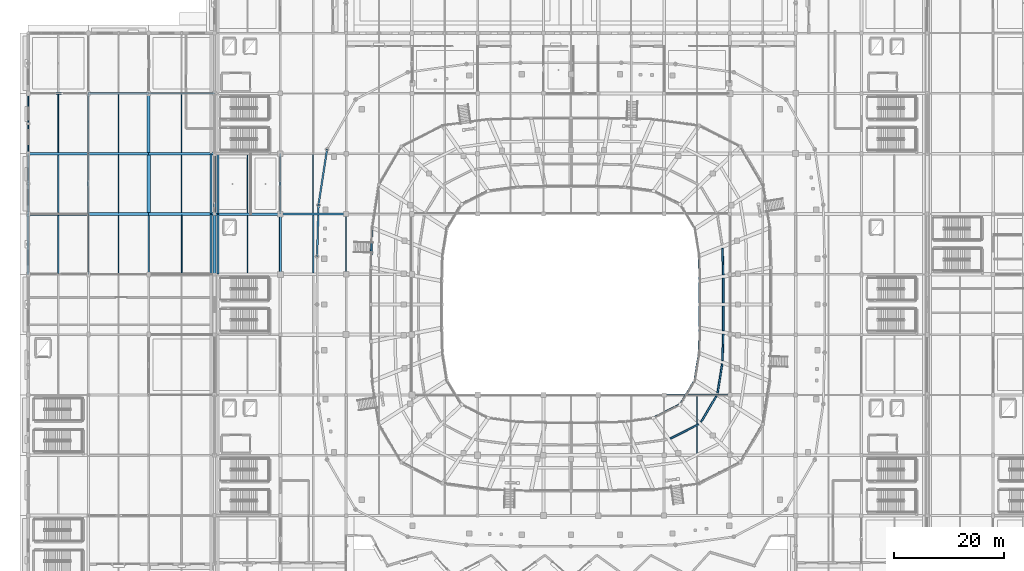
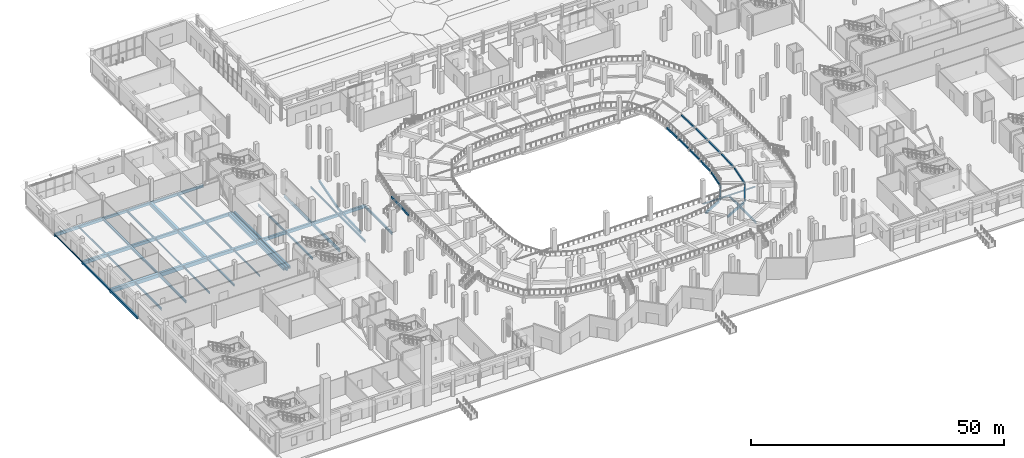
# One storey, part 21 of 120: 61 beams.
"""IFC4 building model written with IfcOpenShell, lengths in metres."""

from ifc_helpers import new_model, si_unit, direction, frame, origin, origin_2d, place, context, subcontext, project, spatial, rectangle, hollow_rectangle, i_section, extrude, material, material_profile, profile_set, type_object, element, save


model = new_model("IFC4")

# Units and contexts
model_context = context("Model", 3, precision=1e-05, world=origin(), true_north=direction((0.0, 1.0)))
body_context = subcontext(model_context, "Body", "Model", "MODEL_VIEW")
ifc_project = project(units=[si_unit("LENGTHUNIT", "METRE"), si_unit("AREAUNIT", "SQUARE_METRE"), si_unit("VOLUMEUNIT", "CUBIC_METRE"), si_unit("PLANEANGLEUNIT", "RADIAN"), si_unit("MASSUNIT", "GRAM", prefix="KILO")], contexts=[model_context])

# Site, building, storey
site_placement = place(None, origin())
site = spatial("IfcSite", under=ifc_project, at=site_placement, CompositionType="ELEMENT")
building_placement = place(site_placement, origin())
building = spatial("IfcBuilding", under=site, at=building_placement, Name="Luwafu Chhajja Arena", CompositionType="ELEMENT")
storey_placement = place(building_placement, origin())
storey = spatial("IfcBuildingStorey", under=building, at=storey_placement, Name="L00", CompositionType="ELEMENT", Elevation=0.0)

# Beams
ifc_material_1 = material(Name="Concrete C35/45", Category="concrete")
ifc_material_profile_1 = material_profile(ifc_material_1, rectangle(XDim=0.35009765625, YDim=0.60009765625, at=origin_2d()), Name="RC 350x600")
ifc_profile_set_1 = profile_set([ifc_material_profile_1], Name="Concrete C35/45")
beam_type_1 = type_object("IfcBeamType", Name="Arcade Tie Beam RC 350x600", PredefinedType="BEAM", material=ifc_profile_set_1)
for number, where, z_axis, x_axis, name in (
    (1, (11.0, 88.0, -0.64990234375), (1.0, 0.0, 0.0), (0.0, 1.0, 0.0), "L00 Grid Beam 2-3/J"),
    (2, (46.0, 55.0, -0.64990234375), (0.0, 1.0, 0.0), (-1.0, 0.0, 0.0), "L00 Grid Beam 5/F-G"),
):
    element("IfcBeam", number, at=place(storey_placement, frame(where, z_axis=z_axis, x_axis=x_axis)), inside=storey, type_object=beam_type_1, Name=name, PredefinedType="BEAM", context=body_context, shape_type="SweptSolid", body=[
        extrude(rectangle(XDim=0.35009765625, YDim=0.60009765625, at=origin_2d()), origin(), (0.0, 0.0, 1.0), 11.0),
    ])
ifc_material_2 = material(Name="Steel S355", Category="steel")
ifc_material_profile_2 = material_profile(ifc_material_2, i_section(OverallWidth=0.165771484375, OverallDepth=0.306640625, WebThickness=0.006591796875, FlangeThickness=0.01171875, at=origin_2d()), Name="UB 305x165x46")
ifc_profile_set_2 = profile_set([ifc_material_profile_2], Name="Steel S355")
beam_type_2 = type_object("IfcBeamType", Name="Concourse Edge Spandrel Beam UB 305x165x46", PredefinedType="SPANDREL", material=ifc_profile_set_2)
beam_1_placement = place(storey_placement, frame((116.0, 33.0, -0.50341796875), z_axis=(1.0, 0.0, 0.0), x_axis=(0.0, 1.0, 0.0)))
element("IfcBeam", 3, at=beam_1_placement, inside=storey, type_object=beam_type_2, Name="L00 Grid Beam 11-12/D", PredefinedType="SPANDREL", context=body_context, shape_type="SweptSolid", body=[
    extrude(i_section(OverallWidth=0.165771484375, OverallDepth=0.306640625, WebThickness=0.006591796875, FlangeThickness=0.01171875, at=origin_2d()), origin(), (0.0, 0.0, 1.0), 12.0),
])
beam_2_placement = place(storey_placement, frame((0.0, 77.0, -0.50341796875), z_axis=(0.0, 1.0, 0.0), x_axis=(-1.0, 0.0, 0.0)))
element("IfcBeam", 4, at=beam_2_placement, inside=storey, type_object=beam_type_2, Name="L00 Grid Beam 1/H-J", PredefinedType="SPANDREL", context=body_context, shape_type="SweptSolid", body=[
    extrude(i_section(OverallWidth=0.165771484375, OverallDepth=0.306640625, WebThickness=0.006591796875, FlangeThickness=0.01171875, at=origin_2d()), origin(), (0.0, 0.0, 1.0), 11.0),
])
ifc_material_profile_3 = material_profile(ifc_material_1, rectangle(XDim=0.60009765625, YDim=0.89990234375, at=origin_2d()), Name="RC 600x900")
ifc_profile_set_3 = profile_set([ifc_material_profile_3], Name="Concrete C35/45")
beam_type_3 = type_object("IfcBeamType", Name="Concourse Primary Girder RC 600x900", PredefinedType="BEAM", material=ifc_profile_set_3)
for number, where, z_axis, x_axis, name in (
    (5, (0.0, 66.0, -0.800048828125), (1.0, 0.0, 0.0), (0.0, 1.0, 0.0), "L00 Grid Beam 1-2/G"),
    (6, (22.0, 66.0, -0.800048828125), (0.0, 1.0, 0.0), (-1.0, 0.0, 0.0), "L00 Grid Beam 3/G-H"),
):
    element("IfcBeam", number, at=place(storey_placement, frame(where, z_axis=z_axis, x_axis=x_axis)), inside=storey, type_object=beam_type_3, Name=name, PredefinedType="BEAM", context=body_context, shape_type="SweptSolid", body=[
        extrude(rectangle(XDim=0.60009765625, YDim=0.89990234375, at=origin_2d()), origin(), (0.0, 0.0, 1.0), 11.0),
    ])
ifc_material_profile_4 = material_profile(ifc_material_1, rectangle(XDim=0.550048828125, YDim=0.949951171875, at=origin_2d()), Name="RC 550x950")
ifc_profile_set_4 = profile_set([ifc_material_profile_4], Name="Concrete C35/45")
beam_type_4 = type_object("IfcBeamType", Name="Concourse Radial Girder RC 550x950", PredefinedType="BEAM", material=ifc_profile_set_4)
for number, where, z_axis, x_axis, name in (
    (7, (11.0, 66.0, -0.824951171875), (1.0, 0.0, 0.0), (0.0, 1.0, 0.0), "L00 Grid Beam 2-3/G"),
    (8, (22.0, 77.0, -0.824951171875), (0.0, 1.0, 0.0), (-1.0, 0.0, 0.0), "L00 Grid Beam 3/H-J"),
):
    element("IfcBeam", number, at=place(storey_placement, frame(where, z_axis=z_axis, x_axis=x_axis)), inside=storey, type_object=beam_type_4, Name=name, PredefinedType="BEAM", context=body_context, shape_type="SweptSolid", body=[
        extrude(rectangle(XDim=0.550048828125, YDim=0.949951171875, at=origin_2d()), origin(), (0.0, 0.0, 1.0), 11.0),
    ])
ifc_material_profile_5 = material_profile(ifc_material_2, i_section(OverallWidth=0.15283203125, OverallDepth=0.45458984375, WebThickness=0.008056640625, FlangeThickness=0.01318359375, at=origin_2d()), Name="UB 457x152x60")
ifc_profile_set_5 = profile_set([ifc_material_profile_5], Name="Steel S355")
beam_type_5 = type_object("IfcBeamType", Name="Floor Joist UB 457x152x60", PredefinedType="JOIST", material=ifc_profile_set_5)
beam_3_placement = place(storey_placement, frame((5.5, 77.25, -0.577392578125), z_axis=(0.0, 1.0, 0.0), x_axis=(-1.0, 0.0, 0.0)))
element("IfcBeam", 9, at=beam_3_placement, inside=storey, type_object=beam_type_5, Name="L00 Secondary Joist 1-2/H", PredefinedType="JOIST", context=body_context, shape_type="SweptSolid", body=[
    extrude(i_section(OverallWidth=0.15283203125, OverallDepth=0.45458984375, WebThickness=0.008056640625, FlangeThickness=0.01318359375, at=origin_2d()), origin(), (0.0, 0.0, 1.0), 10.550048828125),
])
beam_4_placement = place(storey_placement, frame((16.5, 66.27490234375, -0.577392578125), z_axis=(0.0, 1.0, 0.0), x_axis=(-1.0, 0.0, 0.0)))
element("IfcBeam", 10, at=beam_4_placement, inside=storey, type_object=beam_type_5, Name="L00 Secondary Joist 2-3/G", PredefinedType="JOIST", context=body_context, shape_type="SweptSolid", body=[
    extrude(i_section(OverallWidth=0.15283203125, OverallDepth=0.45458984375, WebThickness=0.008056640625, FlangeThickness=0.01318359375, at=origin_2d()), origin(), (0.0, 0.0, 1.0), 10.5),
])
beam_5_placement = place(storey_placement, frame((28.0, 55.300048828125, -0.577392578125), z_axis=(0.0, 1.0, 0.0), x_axis=(-1.0, 0.0, 0.0)))
element("IfcBeam", 11, at=beam_5_placement, inside=storey, type_object=beam_type_5, Name="L00 Secondary Joist 3-4/F", PredefinedType="JOIST", context=body_context, shape_type="SweptSolid", body=[
    extrude(i_section(OverallWidth=0.15283203125, OverallDepth=0.45458984375, WebThickness=0.008056640625, FlangeThickness=0.01318359375, at=origin_2d()), origin(), (0.0, 0.0, 1.0), 10.449951171875),
])
ifc_material_profile_6 = material_profile(ifc_material_2, i_section(OverallWidth=0.19140625, OverallDepth=0.4599609375, WebThickness=0.010009765625, FlangeThickness=0.01611328125, at=origin_2d()), Name="UB 457x191x82")
ifc_profile_set_6 = profile_set([ifc_material_profile_6], Name="Steel S355")
beam_type_6 = type_object("IfcBeamType", Name="Floor Joist UB 457x191x82", PredefinedType="JOIST", material=ifc_profile_set_6)
beam_6_placement = place(storey_placement, frame((5.5, 66.300048828125, -0.580078125), z_axis=(0.0, 1.0, 0.0), x_axis=(-1.0, 0.0, 0.0)))
element("IfcBeam", 12, at=beam_6_placement, inside=storey, type_object=beam_type_6, Name="L00 Secondary Joist 1-2/G", PredefinedType="JOIST", context=body_context, shape_type="SweptSolid", body=[
    extrude(i_section(OverallWidth=0.19140625, OverallDepth=0.4599609375, WebThickness=0.010009765625, FlangeThickness=0.01611328125, at=origin_2d()), origin(), (0.0, 0.0, 1.0), 10.449951171875),
])
beam_7_placement = place(storey_placement, frame((16.5, 55.14990234375, -0.580078125), z_axis=(0.0, 1.0, 0.0), x_axis=(-1.0, 0.0, 0.0)))
element("IfcBeam", 13, at=beam_7_placement, inside=storey, type_object=beam_type_6, Name="L00 Secondary Joist 2-3/F", PredefinedType="JOIST", context=body_context, shape_type="SweptSolid", body=[
    extrude(i_section(OverallWidth=0.19140625, OverallDepth=0.4599609375, WebThickness=0.010009765625, FlangeThickness=0.01611328125, at=origin_2d()), origin(), (0.0, 0.0, 1.0), 10.5751953125),
])
beam_8_placement = place(storey_placement, frame((52.0, 66.199951171875, -0.580078125), z_axis=(0.0, 1.0, 0.0), x_axis=(-1.0, 0.0, 0.0)))
element("IfcBeam", 14, at=beam_8_placement, inside=storey, type_object=beam_type_6, Name="L00 Secondary Joist 5-6/G", PredefinedType="JOIST", context=body_context, shape_type="SweptSolid", body=[
    extrude(i_section(OverallWidth=0.19140625, OverallDepth=0.4599609375, WebThickness=0.010009765625, FlangeThickness=0.01611328125, at=origin_2d()), origin(), (0.0, 0.0, 1.0), 10.673095703125),
])
ifc_material_profile_7 = material_profile(ifc_material_2, i_section(OverallWidth=0.2099609375, OverallDepth=0.53662109375, WebThickness=0.0107421875, FlangeThickness=0.017333984375, at=origin_2d()), Name="UB 533x210x101")
ifc_profile_set_7 = profile_set([ifc_material_profile_7], Name="Steel S355")
beam_type_7 = type_object("IfcBeamType", Name="Floor Joist UB 533x210x101", PredefinedType="JOIST", material=ifc_profile_set_7)
beam_9_placement = place(storey_placement, frame((16.5, 77.22509765625, -0.618408203125), z_axis=(0.0, 1.0, 0.0), x_axis=(-1.0, 0.0, 0.0)))
element("IfcBeam", 15, at=beam_9_placement, inside=storey, type_object=beam_type_7, Name="L00 Secondary Joist 2-3/H", PredefinedType="JOIST", context=body_context, shape_type="SweptSolid", body=[
    extrude(i_section(OverallWidth=0.2099609375, OverallDepth=0.53662109375, WebThickness=0.0107421875, FlangeThickness=0.017333984375, at=origin_2d()), origin(), (0.0, 0.0, 1.0), 10.599853515625),
])
beam_10_placement = place(storey_placement, frame((28.0, 66.25, -0.618408203125), z_axis=(0.0, 1.0, 0.0), x_axis=(-1.0, 0.0, 0.0)))
element("IfcBeam", 16, at=beam_10_placement, inside=storey, type_object=beam_type_7, Name="L00 Secondary Joist 3-4/G", PredefinedType="JOIST", context=body_context, shape_type="SweptSolid", body=[
    extrude(i_section(OverallWidth=0.2099609375, OverallDepth=0.53662109375, WebThickness=0.0107421875, FlangeThickness=0.017333984375, at=origin_2d()), origin(), (0.0, 0.0, 1.0), 10.550048828125),
])
beam_11_placement = place(storey_placement, frame((40.0, 55.27490234375, -0.618408203125), z_axis=(0.0, 1.0, 0.0), x_axis=(-1.0, 0.0, 0.0)))
element("IfcBeam", 17, at=beam_11_placement, inside=storey, type_object=beam_type_7, Name="L00 Secondary Joist 4-5/F", PredefinedType="JOIST", context=body_context, shape_type="SweptSolid", body=[
    extrude(i_section(OverallWidth=0.2099609375, OverallDepth=0.53662109375, WebThickness=0.0107421875, FlangeThickness=0.017333984375, at=origin_2d()), origin(), (0.0, 0.0, 1.0), 10.5),
])
beam_12_placement = place(storey_placement, frame((122.0, 22.25, -0.618408203125), z_axis=(0.0, 1.0, 0.0), x_axis=(-1.0, 0.0, 0.0)))
element("IfcBeam", 18, at=beam_12_placement, inside=storey, type_object=beam_type_7, Name="L00 Secondary Joist 11-12/C", PredefinedType="JOIST", context=body_context, shape_type="SweptSolid", body=[
    extrude(i_section(OverallWidth=0.2099609375, OverallDepth=0.53662109375, WebThickness=0.0107421875, FlangeThickness=0.017333984375, at=origin_2d()), origin(), (0.0, 0.0, 1.0), 10.6669921875),
])
ifc_material_profile_8 = material_profile(ifc_material_2, i_section(OverallWidth=0.209228515625, OverallDepth=0.533203125, WebThickness=0.010009765625, FlangeThickness=0.015625, at=origin_2d()), Name="UB 533x210x92")
ifc_profile_set_8 = profile_set([ifc_material_profile_8], Name="Steel S355")
beam_type_8 = type_object("IfcBeamType", Name="Floor Joist UB 533x210x92", PredefinedType="JOIST", material=ifc_profile_set_8)
beam_13_placement = place(storey_placement, frame((5.5, 55.14990234375, -0.616455078125), z_axis=(0.0, 1.0, 0.0), x_axis=(-1.0, 0.0, 0.0)))
element("IfcBeam", 19, at=beam_13_placement, inside=storey, type_object=beam_type_8, Name="L00 Secondary Joist 1-2/F", PredefinedType="JOIST", context=body_context, shape_type="SweptSolid", body=[
    extrude(i_section(OverallWidth=0.209228515625, OverallDepth=0.533203125, WebThickness=0.010009765625, FlangeThickness=0.015625, at=origin_2d()), origin(), (0.0, 0.0, 1.0), 10.550048828125),
])
beam_14_placement = place(storey_placement, frame((28.0, 77.199951171875, -0.616455078125), z_axis=(0.0, 1.0, 0.0), x_axis=(-1.0, 0.0, 0.0)))
element("IfcBeam", 20, at=beam_14_placement, inside=storey, type_object=beam_type_8, Name="L00 Secondary Joist 3-4/H", PredefinedType="JOIST", context=body_context, shape_type="SweptSolid", body=[
    extrude(i_section(OverallWidth=0.209228515625, OverallDepth=0.533203125, WebThickness=0.010009765625, FlangeThickness=0.015625, at=origin_2d()), origin(), (0.0, 0.0, 1.0), 10.673095703125),
])
beam_15_placement = place(storey_placement, frame((40.0, 66.22509765625, -0.616455078125), z_axis=(0.0, 1.0, 0.0), x_axis=(-1.0, 0.0, 0.0)))
element("IfcBeam", 21, at=beam_15_placement, inside=storey, type_object=beam_type_8, Name="L00 Secondary Joist 4-5/G", PredefinedType="JOIST", context=body_context, shape_type="SweptSolid", body=[
    extrude(i_section(OverallWidth=0.209228515625, OverallDepth=0.533203125, WebThickness=0.010009765625, FlangeThickness=0.015625, at=origin_2d()), origin(), (0.0, 0.0, 1.0), 10.599853515625),
])
beam_16_placement = place(storey_placement, frame((52.0, 55.25, -0.616455078125), z_axis=(0.0, 1.0, 0.0), x_axis=(-1.0, 0.0, 0.0)))
element("IfcBeam", 22, at=beam_16_placement, inside=storey, type_object=beam_type_8, Name="L00 Secondary Joist 5-6/F", PredefinedType="JOIST", context=body_context, shape_type="SweptSolid", body=[
    extrude(i_section(OverallWidth=0.209228515625, OverallDepth=0.533203125, WebThickness=0.010009765625, FlangeThickness=0.015625, at=origin_2d()), origin(), (0.0, 0.0, 1.0), 10.550048828125),
])
ifc_material_profile_9 = material_profile(ifc_material_1, rectangle(XDim=0.5, YDim=0.800048828125, at=origin_2d()), Name="RC 500x800")
ifc_profile_set_9 = profile_set([ifc_material_profile_9], Name="Concrete C35/45")
beam_type_9 = type_object("IfcBeamType", Name="Hospitality Primary Beam RC 500x800", PredefinedType="BEAM", material=ifc_profile_set_9)
beam_17_placement = place(storey_placement, frame((0.0, 77.0, -0.75), z_axis=(1.0, 0.0, 0.0), x_axis=(0.0, 1.0, 0.0)))
element("IfcBeam", 23, at=beam_17_placement, inside=storey, type_object=beam_type_9, Name="L00 Grid Beam 1-2/H", PredefinedType="BEAM", context=body_context, shape_type="SweptSolid", body=[
    extrude(rectangle(XDim=0.5, YDim=0.800048828125, at=origin_2d()), origin(), (0.0, 0.0, 1.0), 11.0),
])
beam_18_placement = place(storey_placement, frame((22.0, 66.0, -0.75), z_axis=(1.0, 0.0, 0.0), x_axis=(0.0, 1.0, 0.0)))
element("IfcBeam", 24, at=beam_18_placement, inside=storey, type_object=beam_type_9, Name="L00 Grid Beam 3-4/G", PredefinedType="BEAM", context=body_context, shape_type="SweptSolid", body=[
    extrude(rectangle(XDim=0.5, YDim=0.800048828125, at=origin_2d()), origin(), (0.0, 0.0, 1.0), 12.0),
])
beam_19_placement = place(storey_placement, frame((34.0, 55.0, -0.75), z_axis=(0.0, 1.0, 0.0), x_axis=(-1.0, 0.0, 0.0)))
element("IfcBeam", 25, at=beam_19_placement, inside=storey, type_object=beam_type_9, Name="L00 Grid Beam 4/F-G", PredefinedType="BEAM", context=body_context, shape_type="SweptSolid", body=[
    extrude(rectangle(XDim=0.5, YDim=0.800048828125, at=origin_2d()), origin(), (0.0, 0.0, 1.0), 11.0),
])
ifc_material_profile_10 = material_profile(ifc_material_2, hollow_rectangle(XDim=0.300048828125, YDim=0.5, WallThickness=0.02001953125, at=origin_2d()), Name="RHS 500x300x20")
ifc_profile_set_10 = profile_set([ifc_material_profile_10], Name="Steel S355")
beam_type_10 = type_object("IfcBeamType", Name="Pleated Drum Spandrel Beam RHS 500x300", PredefinedType="SPANDREL", material=ifc_profile_set_10)
beam_20_placement = place(storey_placement, frame((0.0, 66.0, -0.60009765625), z_axis=(0.0, 1.0, 0.0), x_axis=(-1.0, 0.0, 0.0)))
element("IfcBeam", 26, at=beam_20_placement, inside=storey, type_object=beam_type_10, Name="L00 Grid Beam 1/G-H", PredefinedType="SPANDREL", context=body_context, shape_type="SweptSolid", body=[
    extrude(hollow_rectangle(XDim=0.300048828125, YDim=0.5, WallThickness=0.02001953125, at=origin_2d()), origin(), (0.0, 0.0, 1.0), 11.0),
])
beam_21_placement = place(storey_placement, frame((54.52392578125, 77.805908203125, -0.60009765625), z_axis=(-0.1515977802, -0.988442265911, 0.0), x_axis=(0.988442265911, -0.1515977802, 0.0)))
element("IfcBeam", 27, at=beam_21_placement, inside=storey, type_object=beam_type_10, Name="L00 Drum Ring Spandrel D14-D15", PredefinedType="SPANDREL", context=body_context, shape_type="SweptSolid", body=[
    extrude(hollow_rectangle(XDim=0.300048828125, YDim=0.5, WallThickness=0.02001953125, at=origin_2d()), origin(), (0.0, 0.0, 1.0), 10.263427734375),
])
beam_22_placement = place(storey_placement, frame((52.968017578125, 67.6611328125, -0.60009765625), z_axis=(-0.02720805866, -0.999629792245, 0.0), x_axis=(0.999629792245, -0.02720805866, 0.0)))
element("IfcBeam", 28, at=beam_22_placement, inside=storey, type_object=beam_type_10, Name="L00 Drum Ring Spandrel D15-D16", PredefinedType="SPANDREL", context=body_context, shape_type="SweptSolid", body=[
    extrude(hollow_rectangle(XDim=0.300048828125, YDim=0.5, WallThickness=0.02001953125, at=origin_2d()), origin(), (0.0, 0.0, 1.0), 9.394775390625),
])
ifc_material_profile_11 = material_profile(ifc_material_1, rectangle(XDim=0.39990234375, YDim=0.60009765625, at=origin_2d()), Name="RC 400x600")
ifc_profile_set_11 = profile_set([ifc_material_profile_11], Name="Concrete C35/45")
beam_type_11 = type_object("IfcBeamType", Name="Podium Perimeter Spandrel RC 400x600", PredefinedType="SPANDREL", material=ifc_profile_set_11)
beam_23_placement = place(storey_placement, frame((0.0, 55.0, -0.64990234375), z_axis=(0.0, 1.0, 0.0), x_axis=(-1.0, 0.0, 0.0)))
element("IfcBeam", 29, at=beam_23_placement, inside=storey, type_object=beam_type_11, Name="L00 Grid Beam 1/F-G", PredefinedType="SPANDREL", context=body_context, shape_type="SweptSolid", body=[
    extrude(rectangle(XDim=0.39990234375, YDim=0.60009765625, at=origin_2d()), origin(), (0.0, 0.0, 1.0), 11.0),
])
for number, where, z_axis, x_axis, name in (
    (30, (33.3798828125, 55.080078125, -0.64990234375), (0.0, 1.0, 0.0), (-1.0, 0.0, 0.0), "L00 Movement Joint MJ1W Seat Girder 05"),
    (31, (33.3798828125, 66.080078125, -0.64990234375), (0.0, 1.0, 0.0), (-1.0, 0.0, 0.0), "L00 Movement Joint MJ1W Seat Girder 06"),
    (32, (34.6201171875, 55.080078125, -0.64990234375), (0.0, 1.0, 0.0), (-1.0, 0.0, 0.0), "L00 Movement Joint MJ1E Seat Girder 05"),
    (33, (34.6201171875, 66.080078125, -0.64990234375), (0.0, 1.0, 0.0), (-1.0, 0.0, 0.0), "L00 Movement Joint MJ1E Seat Girder 06"),
):
    element("IfcBeam", number, at=place(storey_placement, frame(where, z_axis=z_axis, x_axis=x_axis)), inside=storey, type_object=beam_type_11, Name=name, PredefinedType="SPANDREL", context=body_context, shape_type="SweptSolid", body=[
        extrude(rectangle(XDim=0.39990234375, YDim=0.60009765625, at=origin_2d()), origin(), (0.0, 0.0, 1.0), 10.83984375),
    ])
ifc_material_profile_12 = material_profile(ifc_material_2, i_section(OverallWidth=0.300048828125, OverallDepth=0.5, WebThickness=0.014404296875, FlangeThickness=0.028076171875, at=origin_2d()), Name="HEB 500")
ifc_profile_set_12 = profile_set([ifc_material_profile_12], Name="Steel S355")
beam_type_12 = type_object("IfcBeamType", Name="Steel Atrium Tie Girder HEB 500", PredefinedType="BEAM", material=ifc_profile_set_12)
beam_24_placement = place(storey_placement, frame((11.0, 77.0, -0.60009765625), z_axis=(0.0, 1.0, 0.0), x_axis=(-1.0, 0.0, 0.0)))
element("IfcBeam", 34, at=beam_24_placement, inside=storey, type_object=beam_type_12, Name="L00 Grid Beam 2/H-J", PredefinedType="BEAM", context=body_context, shape_type="SweptSolid", body=[
    extrude(i_section(OverallWidth=0.300048828125, OverallDepth=0.5, WebThickness=0.014404296875, FlangeThickness=0.028076171875, at=origin_2d()), origin(), (0.0, 0.0, 1.0), 11.0),
])
ifc_material_profile_13 = material_profile(ifc_material_2, i_section(OverallWidth=0.253662109375, OverallDepth=0.68359375, WebThickness=0.012451171875, FlangeThickness=0.01904296875, at=origin_2d()), Name="UB 686x254x140")
ifc_profile_set_13 = profile_set([ifc_material_profile_13], Name="Steel S355")
beam_type_13 = type_object("IfcBeamType", Name="Steel Concourse Girder UB 686x254x140", PredefinedType="BEAM", material=ifc_profile_set_13)
beam_25_placement = place(storey_placement, frame((22.0, 88.0, -0.691650390625), z_axis=(1.0, 0.0, 0.0), x_axis=(0.0, 1.0, 0.0)))
element("IfcBeam", 35, at=beam_25_placement, inside=storey, type_object=beam_type_13, Name="L00 Grid Beam 3-4/J", PredefinedType="BEAM", context=body_context, shape_type="SweptSolid", body=[
    extrude(i_section(OverallWidth=0.253662109375, OverallDepth=0.68359375, WebThickness=0.012451171875, FlangeThickness=0.01904296875, at=origin_2d()), origin(), (0.0, 0.0, 1.0), 12.0),
])
beam_26_placement = place(storey_placement, frame((46.0, 66.0, -0.691650390625), z_axis=(0.0, 1.0, 0.0), x_axis=(-1.0, 0.0, 0.0)))
element("IfcBeam", 36, at=beam_26_placement, inside=storey, type_object=beam_type_13, Name="L00 Grid Beam 5/G-H", PredefinedType="BEAM", context=body_context, shape_type="SweptSolid", body=[
    extrude(i_section(OverallWidth=0.253662109375, OverallDepth=0.68359375, WebThickness=0.012451171875, FlangeThickness=0.01904296875, at=origin_2d()), origin(), (0.0, 0.0, 1.0), 11.0),
])
ifc_material_profile_14 = material_profile(ifc_material_2, i_section(OverallWidth=0.300048828125, OverallDepth=0.60009765625, WebThickness=0.015380859375, FlangeThickness=0.030029296875, at=origin_2d()), Name="HEB 600")
ifc_profile_set_14 = profile_set([ifc_material_profile_14], Name="Steel S355")
beam_type_14 = type_object("IfcBeamType", Name="Steel Gallery Girder HEB 600", PredefinedType="BEAM", material=ifc_profile_set_14)
beam_27_placement = place(storey_placement, frame((11.0, 66.0, -0.64990234375), z_axis=(0.0, 1.0, 0.0), x_axis=(-1.0, 0.0, 0.0)))
element("IfcBeam", 37, at=beam_27_placement, inside=storey, type_object=beam_type_14, Name="L00 Grid Beam 2/G-H", PredefinedType="BEAM", context=body_context, shape_type="SweptSolid", body=[
    extrude(i_section(OverallWidth=0.300048828125, OverallDepth=0.60009765625, WebThickness=0.015380859375, FlangeThickness=0.030029296875, at=origin_2d()), origin(), (0.0, 0.0, 1.0), 11.0),
])
ifc_material_profile_15 = material_profile(ifc_material_2, i_section(OverallWidth=0.22900390625, OverallDepth=0.6123046875, WebThickness=0.011962890625, FlangeThickness=0.01953125, at=origin_2d()), Name="UB 610x229x125")
ifc_profile_set_15 = profile_set([ifc_material_profile_15], Name="Steel S355")
beam_type_15 = type_object("IfcBeamType", Name="Steel Mezzanine Girder UB 610x229x125", PredefinedType="BEAM", material=ifc_profile_set_15)
for number, where, z_axis, x_axis, name in (
    (38, (11.0, 55.0, -0.656005859375), (0.0, 1.0, 0.0), (-1.0, 0.0, 0.0), "L00 Grid Beam 2/F-G"),
    (39, (58.0, 55.0, -0.656005859375), (0.0, 1.0, 0.0), (-1.0, 0.0, 0.0), "L00 Grid Beam 6/F-G"),
):
    element("IfcBeam", number, at=place(storey_placement, frame(where, z_axis=z_axis, x_axis=x_axis)), inside=storey, type_object=beam_type_15, Name=name, PredefinedType="BEAM", context=body_context, shape_type="SweptSolid", body=[
        extrude(i_section(OverallWidth=0.22900390625, OverallDepth=0.6123046875, WebThickness=0.011962890625, FlangeThickness=0.01953125, at=origin_2d()), origin(), (0.0, 0.0, 1.0), 11.0),
    ])
ifc_material_profile_16 = material_profile(ifc_material_2, i_section(OverallWidth=0.300048828125, OverallDepth=0.39990234375, WebThickness=0.013427734375, FlangeThickness=0.02392578125, at=origin_2d()), Name="HEB 400")
ifc_profile_set_16 = profile_set([ifc_material_profile_16], Name="Steel S355")
beam_type_16 = type_object("IfcBeamType", Name="Steel Rigging Grid Beam HEB 400", PredefinedType="BEAM", material=ifc_profile_set_16)
beam_28_placement = place(storey_placement, frame((22.0, 55.0, -0.550048828125), z_axis=(0.0, 1.0, 0.0), x_axis=(-1.0, 0.0, 0.0)))
element("IfcBeam", 40, at=beam_28_placement, inside=storey, type_object=beam_type_16, Name="L00 Grid Beam 3/F-G", PredefinedType="BEAM", context=body_context, shape_type="SweptSolid", body=[
    extrude(i_section(OverallWidth=0.300048828125, OverallDepth=0.39990234375, WebThickness=0.013427734375, FlangeThickness=0.02392578125, at=origin_2d()), origin(), (0.0, 0.0, 1.0), 11.0),
])
ifc_material_3 = material(Name="Precast concrete C40/50", Category="concrete")
ifc_material_profile_17 = material_profile(ifc_material_3, rectangle(XDim=0.300048828125, YDim=0.5, at=origin_2d()), Name="RC 300x500")
ifc_profile_set_17 = profile_set([ifc_material_profile_17], Name="Precast concrete C40/50")
beam_type_17 = type_object("IfcBeamType", Name="Tier Support Beam RC 300x500", PredefinedType="BEAM", material=ifc_profile_set_17)
beam_29_placement = place(storey_placement, frame((122.49951171875, 49.804931640625, 0.3798828125), z_axis=(-0.001465297481, 0.999998926451, 0.0), x_axis=(-0.999998926451, -0.001465297481, 0.0)))
element("IfcBeam", 41, at=beam_29_placement, inside=storey, type_object=beam_type_17, Name="Lower Tier Ring Beam S01-B1", PredefinedType="BEAM", context=body_context, shape_type="SweptSolid", body=[
    extrude(rectangle(XDim=0.300048828125, YDim=0.5, at=origin_2d()), origin(), (0.0, 0.0, 1.0), 3.66552734375),
])
beam_30_placement = place(storey_placement, frame((126.799560546875, 49.804931640625, 0.8798828125), z_axis=(-0.001471067385, 0.99999891798, 0.0), x_axis=(-0.99999891798, -0.001471067385, 0.0)))
element("IfcBeam", 42, at=beam_30_placement, inside=storey, type_object=beam_type_17, Name="Lower Tier Ring Beam S01-B2", PredefinedType="BEAM", context=body_context, shape_type="SweptSolid", body=[
    extrude(rectangle(XDim=0.300048828125, YDim=0.5, at=origin_2d()), origin(), (0.0, 0.0, 1.0), 4.48095703125),
])
beam_31_placement = place(storey_placement, frame((122.485107421875, 54.080322265625, 0.3798828125), z_axis=(-0.028347363386, 0.999598132746, 0.0), x_axis=(-0.999598132746, -0.028347363386, 0.0)))
element("IfcBeam", 43, at=beam_31_placement, inside=storey, type_object=beam_type_17, Name="Lower Tier Ring Beam S02-B1", PredefinedType="BEAM", context=body_context, shape_type="SweptSolid", body=[
    extrude(rectangle(XDim=0.300048828125, YDim=0.5, at=origin_2d()), origin(), (0.0, 0.0, 1.0), 3.970458984375),
])
beam_32_placement = place(storey_placement, frame((126.783935546875, 54.895751953125, 0.8798828125), z_axis=(-0.028125214785, 0.9996044079, 0.0), x_axis=(-0.9996044079, -0.028125214785, 0.0)))
element("IfcBeam", 44, at=beam_32_placement, inside=storey, type_object=beam_type_17, Name="Lower Tier Ring Beam S02-B2", PredefinedType="BEAM", context=body_context, shape_type="SweptSolid", body=[
    extrude(rectangle(XDim=0.300048828125, YDim=0.5, at=origin_2d()), origin(), (0.0, 0.0, 1.0), 4.84375),
])
beam_33_placement = place(storey_placement, frame((62.711181640625, 63.501708984375, 1.3798828125), z_axis=(-0.027807295899, -0.99961330238, 0.0), x_axis=(0.99961330238, -0.027807295899, 0.0)))
element("IfcBeam", 45, at=beam_33_placement, inside=storey, type_object=beam_type_17, Name="Lower Tier Outer Ring Beam S15", PredefinedType="BEAM", context=body_context, shape_type="SweptSolid", body=[
    extrude(rectangle(XDim=0.300048828125, YDim=0.5, at=origin_2d()), origin(), (0.0, 0.0, 1.0), 7.2431640625),
])
beam_34_placement = place(storey_placement, frame((114.356201171875, 28.9833984375, 0.3798828125), z_axis=(0.89416279035, 0.447742006466, 0.0), x_axis=(-0.447742006466, 0.89416279035, 0.0)))
element("IfcBeam", 46, at=beam_34_placement, inside=storey, type_object=beam_type_17, Name="Lower Tier Ring Beam S28-B1", PredefinedType="BEAM", context=body_context, shape_type="SweptSolid", body=[
    extrude(rectangle(XDim=0.300048828125, YDim=0.5, at=origin_2d()), origin(), (0.0, 0.0, 1.0), 4.804443359375),
])
beam_35_placement = place(storey_placement, frame((117.115966796875, 25.0458984375, 0.8798828125), z_axis=(0.893009121174, 0.450038564459, 0.0), x_axis=(-0.450038564459, 0.893009121174, 0.0)))
element("IfcBeam", 47, at=beam_35_placement, inside=storey, type_object=beam_type_17, Name="Lower Tier Ring Beam S28-B2", PredefinedType="BEAM", context=body_context, shape_type="SweptSolid", body=[
    extrude(rectangle(XDim=0.300048828125, YDim=0.5, at=origin_2d()), origin(), (0.0, 0.0, 1.0), 5.802978515625),
])
beam_36_placement = place(storey_placement, frame((119.081298828125, 31.53271484375, 0.3798828125), z_axis=(0.513319836425, 0.858197381453, 0.0), x_axis=(-0.858197381453, 0.513319836425, 0.0)))
element("IfcBeam", 48, at=beam_36_placement, inside=storey, type_object=beam_type_17, Name="Lower Tier Ring Beam S29-B1", PredefinedType="BEAM", context=body_context, shape_type="SweptSolid", body=[
    extrude(rectangle(XDim=0.300048828125, YDim=0.5, at=origin_2d()), origin(), (0.0, 0.0, 1.0), 4.551025390625),
])
beam_37_placement = place(storey_placement, frame((122.726318359375, 28.056884765625, 0.8798828125), z_axis=(0.510904210023, 0.85963764935, 0.0), x_axis=(-0.85963764935, 0.510904210023, 0.0)))
element("IfcBeam", 49, at=beam_37_placement, inside=storey, type_object=beam_type_17, Name="Lower Tier Ring Beam S29-B2", PredefinedType="BEAM", context=body_context, shape_type="SweptSolid", body=[
    extrude(rectangle(XDim=0.300048828125, YDim=0.5, at=origin_2d()), origin(), (0.0, 0.0, 1.0), 5.52490234375),
])
beam_38_placement = place(storey_placement, frame((121.622314453125, 36.001220703125, 0.3798828125), z_axis=(0.157689589351, 0.987488730776, 0.0), x_axis=(-0.987488730776, 0.157689589351, 0.0)))
element("IfcBeam", 50, at=beam_38_placement, inside=storey, type_object=beam_type_17, Name="Lower Tier Ring Beam S30-B1", PredefinedType="BEAM", context=body_context, shape_type="SweptSolid", body=[
    extrude(rectangle(XDim=0.300048828125, YDim=0.5, at=origin_2d()), origin(), (0.0, 0.0, 1.0), 4.3984375),
])
beam_39_placement = place(storey_placement, frame((125.752685546875, 33.36962890625, 0.8798828125), z_axis=(0.156672208584, 0.987650656385, 0.0), x_axis=(-0.987650656385, 0.156672208584, 0.0)))
element("IfcBeam", 51, at=beam_39_placement, inside=storey, type_object=beam_type_17, Name="Lower Tier Ring Beam S30-B2", PredefinedType="BEAM", context=body_context, shape_type="SweptSolid", body=[
    extrude(rectangle(XDim=0.300048828125, YDim=0.5, at=origin_2d()), origin(), (0.0, 0.0, 1.0), 5.352783203125),
])
beam_40_placement = place(storey_placement, frame((122.37255859375, 40.950927734375, 0.3798828125), z_axis=(0.028347363386, 0.999598132746, 0.0), x_axis=(-0.999598132746, 0.028347363386, 0.0)))
element("IfcBeam", 52, at=beam_40_placement, inside=storey, type_object=beam_type_17, Name="Lower Tier Ring Beam S31-B1", PredefinedType="BEAM", context=body_context, shape_type="SweptSolid", body=[
    extrude(rectangle(XDim=0.300048828125, YDim=0.5, at=origin_2d()), origin(), (0.0, 0.0, 1.0), 3.970458984375),
])
beam_41_placement = place(storey_placement, frame((126.647705078125, 39.262451171875, 0.8798828125), z_axis=(0.028125214785, 0.9996044079, 0.0), x_axis=(-0.9996044079, 0.028125214785, 0.0)))
element("IfcBeam", 53, at=beam_41_placement, inside=storey, type_object=beam_type_17, Name="Lower Tier Ring Beam S31-B2", PredefinedType="BEAM", context=body_context, shape_type="SweptSolid", body=[
    extrude(rectangle(XDim=0.300048828125, YDim=0.5, at=origin_2d()), origin(), (0.0, 0.0, 1.0), 4.84375),
])
beam_42_placement = place(storey_placement, frame((122.494140625, 45.529541015625, 0.3798828125), z_axis=(0.001465297481, 0.999998926451, 0.0), x_axis=(-0.999998926451, 0.001465297481, 0.0)))
element("IfcBeam", 54, at=beam_42_placement, inside=storey, type_object=beam_type_17, Name="Lower Tier Ring Beam S32-B1", PredefinedType="BEAM", context=body_context, shape_type="SweptSolid", body=[
    extrude(rectangle(XDim=0.300048828125, YDim=0.5, at=origin_2d()), origin(), (0.0, 0.0, 1.0), 3.66552734375),
])
beam_43_placement = place(storey_placement, frame((126.79296875, 44.714111328125, 0.8798828125), z_axis=(0.001471067385, 0.99999891798, 0.0), x_axis=(-0.99999891798, 0.001471067385, 0.0)))
element("IfcBeam", 55, at=beam_43_placement, inside=storey, type_object=beam_type_17, Name="Lower Tier Ring Beam S32-B2", PredefinedType="BEAM", context=body_context, shape_type="SweptSolid", body=[
    extrude(rectangle(XDim=0.300048828125, YDim=0.5, at=origin_2d()), origin(), (0.0, 0.0, 1.0), 4.48095703125),
])
ifc_material_profile_18 = material_profile(ifc_material_1, rectangle(XDim=0.39990234375, YDim=0.699951171875, at=origin_2d()), Name="RC 400x700")
ifc_profile_set_18 = profile_set([ifc_material_profile_18], Name="Concrete C35/45")
beam_type_18 = type_object("IfcBeamType", Name="Wing Frame Beam RC 400x700", PredefinedType="BEAM", material=ifc_profile_set_18)
beam_44_placement = place(storey_placement, frame((0.0, 88.0, -0.699951171875), z_axis=(1.0, 0.0, 0.0), x_axis=(0.0, 1.0, 0.0)))
element("IfcBeam", 56, at=beam_44_placement, inside=storey, type_object=beam_type_18, Name="L00 Grid Beam 1-2/J", PredefinedType="BEAM", context=body_context, shape_type="SweptSolid", body=[
    extrude(rectangle(XDim=0.39990234375, YDim=0.699951171875, at=origin_2d()), origin(), (0.0, 0.0, 1.0), 11.0),
])
for number, where, z_axis, x_axis, name in (
    (57, (22.0, 77.0, -0.699951171875), (1.0, 0.0, 0.0), (0.0, 1.0, 0.0), "L00 Grid Beam 3-4/H"),
    (58, (46.0, 66.0, -0.699951171875), (1.0, 0.0, 0.0), (0.0, 1.0, 0.0), "L00 Grid Beam 5-6/G"),
):
    element("IfcBeam", number, at=place(storey_placement, frame(where, z_axis=z_axis, x_axis=x_axis)), inside=storey, type_object=beam_type_18, Name=name, PredefinedType="BEAM", context=body_context, shape_type="SweptSolid", body=[
        extrude(rectangle(XDim=0.39990234375, YDim=0.699951171875, at=origin_2d()), origin(), (0.0, 0.0, 1.0), 12.0),
    ])
ifc_material_profile_19 = material_profile(ifc_material_1, rectangle(XDim=0.449951171875, YDim=0.75, at=origin_2d()), Name="RC 450x750")
ifc_profile_set_19 = profile_set([ifc_material_profile_19], Name="Concrete C35/45")
beam_type_19 = type_object("IfcBeamType", Name="Wing Primary Beam RC 450x750", PredefinedType="BEAM", material=ifc_profile_set_19)
beam_45_placement = place(storey_placement, frame((11.0, 77.0, -0.72509765625), z_axis=(1.0, 0.0, 0.0), x_axis=(0.0, 1.0, 0.0)))
element("IfcBeam", 59, at=beam_45_placement, inside=storey, type_object=beam_type_19, Name="L00 Grid Beam 2-3/H", PredefinedType="BEAM", context=body_context, shape_type="SweptSolid", body=[
    extrude(rectangle(XDim=0.449951171875, YDim=0.75, at=origin_2d()), origin(), (0.0, 0.0, 1.0), 11.0),
])
beam_46_placement = place(storey_placement, frame((34.0, 66.0, -0.72509765625), z_axis=(1.0, 0.0, 0.0), x_axis=(0.0, 1.0, 0.0)))
element("IfcBeam", 60, at=beam_46_placement, inside=storey, type_object=beam_type_19, Name="L00 Grid Beam 4-5/G", PredefinedType="BEAM", context=body_context, shape_type="SweptSolid", body=[
    extrude(rectangle(XDim=0.449951171875, YDim=0.75, at=origin_2d()), origin(), (0.0, 0.0, 1.0), 12.0),
])
beam_47_placement = place(storey_placement, frame((34.0, 66.0, -0.72509765625), z_axis=(0.0, 1.0, 0.0), x_axis=(-1.0, 0.0, 0.0)))
element("IfcBeam", 61, at=beam_47_placement, inside=storey, type_object=beam_type_19, Name="L00 Grid Beam 4/G-H", PredefinedType="BEAM", context=body_context, shape_type="SweptSolid", body=[
    extrude(rectangle(XDim=0.449951171875, YDim=0.75, at=origin_2d()), origin(), (0.0, 0.0, 1.0), 11.0),
])

save(model, "model.ifc")
